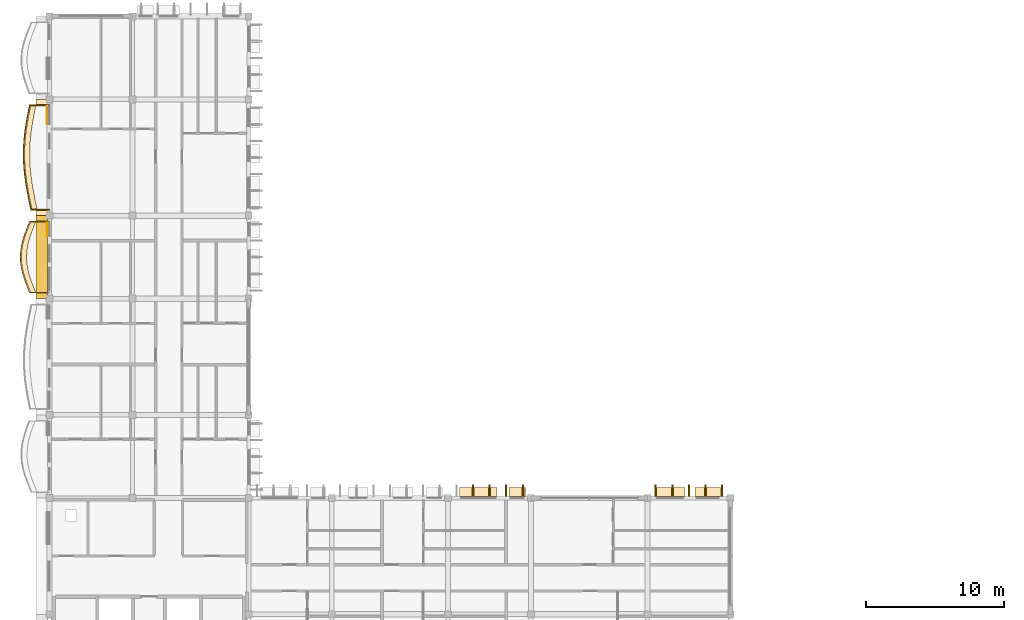
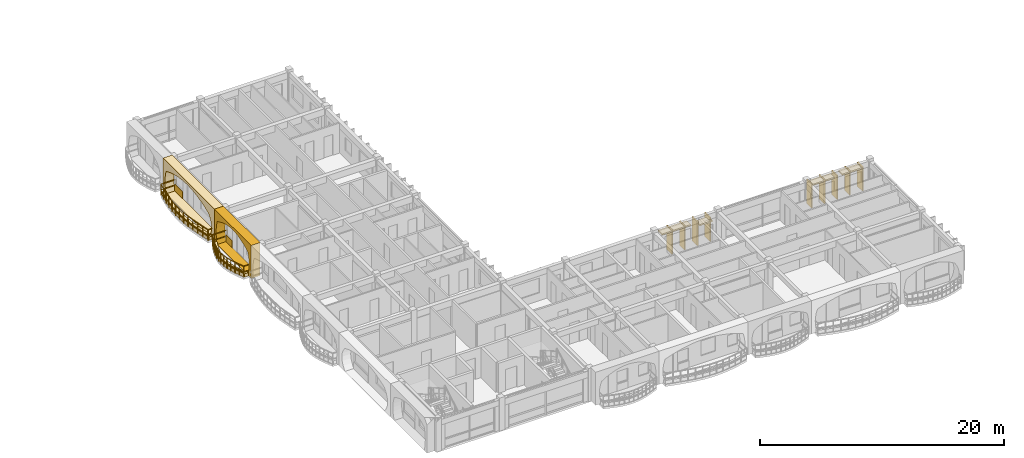
# One storey, part 51 of 68: 19 coverings, 2 railings.
"""IFC4 building model written with IfcOpenShell, lengths in metres."""

from ifc_helpers import new_model, si_unit, direction, frame, origin, origin_2d, place, context, subcontext, project, spatial, polyline, rectangle, outline, extrude, material, layer, layer_set, type_object, element, save


model = new_model("IFC4")

# Units and contexts
model_context = context("Model", 3, precision=1e-05, world=origin(), true_north=direction((0.0, 1.0)))
body_context = subcontext(model_context, "Body", "Model", "MODEL_VIEW")
ifc_project = project(units=[si_unit("LENGTHUNIT", "METRE"), si_unit("AREAUNIT", "SQUARE_METRE"), si_unit("VOLUMEUNIT", "CUBIC_METRE"), si_unit("PLANEANGLEUNIT", "RADIAN"), si_unit("MASSUNIT", "GRAM", prefix="KILO"), si_unit("THERMODYNAMICTEMPERATUREUNIT", "KELVIN")], contexts=[model_context])

# Site, building, storey
site_placement = place(None, origin())
site = spatial("IfcSite", under=ifc_project, at=site_placement, CompositionType="ELEMENT")
building_placement = place(site_placement, origin())
building = spatial("IfcBuilding", under=site, at=building_placement, Name="Thalorik Housing Commons", CompositionType="ELEMENT")
storey_placement = place(building_placement, frame((0.0, 0.0, 24.60009765625)))
storey = spatial("IfcBuildingStorey", under=building, at=storey_placement, Name="L07", CompositionType="ELEMENT", Elevation=24.60009765625)

# Coverings
ifc_material_1 = material(Name="Precast concrete C40/50", Category="concrete")
ifc_layer_1 = layer(ifc_material_1, 0.85009765625, Name="Precast concrete C40/50", Category="concrete")
ifc_layer_set_1 = layer_set([ifc_layer_1], Name="Precast concrete C40/50")
covering_type_1 = type_object("IfcCoveringType", Name="ARC-CLD-CUSH-850", PredefinedType="CLADDING", material=ifc_layer_set_1)
covering_1_placement = place(storey_placement, frame((7.8525390625, 47.39990234375, 0.0), z_axis=(0.0, 0.0, 1.0), x_axis=(0.0, -1.0, 0.0)))
element("IfcCovering", 1, at=covering_1_placement, inside=storey, type_object=covering_type_1, Name="L07 White Precast Curved Cushion Bay Frame 4200", PredefinedType="CLADDING", context=body_context, shape_type="SweptSolid", body=[
    extrude(outline(polyline([(-4.199951171875, 0.0), (4.199951171875, 0.0), (4.199951171875, 3.300048828125), (-4.199951171875, 3.300048828125), (-4.199951171875, 0.0)]), holes=[polyline([(3.239990234375, 0.02490234375), (3.523193359375, 0.40087890625), (3.693359375, 0.776611328125), (3.75, 1.152587890625), (3.693359375, 1.5283203125), (3.523193359375, 1.904296875), (3.239990234375, 2.280029296875), (2.66064453125, 2.51123046875), (2.081298828125, 2.693115234375), (1.501953125, 2.840087890625), (0.922607421875, 2.94970703125), (0.343017578125, 3.01708984375), (-0.236328125, 3.0400390625), (-0.815673828125, 3.01708984375), (-1.39501953125, 2.94970703125), (-1.974365234375, 2.840087890625), (-2.5537109375, 2.693115234375), (-3.133056640625, 2.51123046875), (-3.71240234375, 2.280029296875), (-3.8154296875, 1.904296875), (-3.877197265625, 1.5283203125), (-3.897705078125, 1.152587890625), (-3.877197265625, 0.776611328125), (-3.8154296875, 0.40087890625), (-3.71240234375, 0.02490234375), (3.239990234375, 0.02490234375)])]), frame((0.0, 0.425048828125, 0.0), z_axis=(0.0, -1.0, 0.0), x_axis=(1.0, 0.0, 0.0)), (0.0, 0.0, 1.0), 0.85009765625),
])
covering_2_placement = place(storey_placement, frame((7.8525390625, 40.199951171875, 0.0), z_axis=(0.0, 0.0, 1.0), x_axis=(0.0, -1.0, 0.0)))
element("IfcCovering", 2, at=covering_2_placement, inside=storey, type_object=covering_type_1, Name="L07 White Precast Curved Cushion Bay Frame 4202", PredefinedType="CLADDING", context=body_context, shape_type="SweptSolid", body=[
    extrude(outline(polyline([(-3.0, 0.0), (3.0, 0.0), (3.0, 3.300048828125), (-3.0, 3.300048828125), (-3.0, 0.0)]), holes=[polyline([(2.47509765625, 0.02490234375), (2.585693359375, 0.407470703125), (2.65234375, 0.7900390625), (2.674560546875, 1.172607421875), (2.65234375, 1.554931640625), (2.585693359375, 1.9375), (2.47509765625, 2.320068359375), (2.05615234375, 2.539306640625), (1.637451171875, 2.711181640625), (1.21875, 2.8505859375), (0.800048828125, 2.954345703125), (0.381103515625, 3.018310546875), (-0.03759765625, 3.0400390625), (-0.456298828125, 3.018310546875), (-0.875, 2.954345703125), (-1.293701171875, 2.8505859375), (-1.71240234375, 2.711181640625), (-2.131103515625, 2.539306640625), (-2.550048828125, 2.320068359375), (-2.64501953125, 1.9375), (-2.701904296875, 1.554931640625), (-2.720947265625, 1.172607421875), (-2.701904296875, 0.7900390625), (-2.64501953125, 0.407470703125), (-2.550048828125, 0.02490234375), (2.47509765625, 0.02490234375)])]), frame((0.0, 0.425048828125, 0.0), z_axis=(0.0, -1.0, 0.0), x_axis=(1.0, 0.0, 0.0)), (0.0, 0.0, 1.0), 0.85009765625),
])
ifc_layer_2 = layer(ifc_material_1, 0.85009765625, Name="Precast concrete C40/50", Category="concrete")
ifc_layer_set_2 = layer_set([ifc_layer_2], Name="Precast concrete C40/50")
covering_type_2 = type_object("IfcCoveringType", Name="ARC-CLD-FIN-850", PredefinedType="CLADDING", material=ifc_layer_set_2)
for number, where, z_axis, x_axis, name in (
    (3, (57.0, 23.347412109375, 0.039794921875), (0.0, 0.0, 1.0), (-1.0, 0.0, 0.0), "L07 Courtyard Precast Vertical Brise-Soleil Fin 4229"),
    (4, (55.800048828125, 23.347412109375, 0.039794921875), (0.0, 0.0, 1.0), (-1.0, 0.0, 0.0), "L07 Courtyard Precast Vertical Brise-Soleil Fin 4230"),
    (5, (54.60009765625, 23.347412109375, 0.039794921875), (0.0, 0.0, 1.0), (-1.0, 0.0, 0.0), "L07 Courtyard Precast Vertical Brise-Soleil Fin 4231"),
    (6, (53.39990234375, 23.347412109375, 0.039794921875), (0.0, 0.0, 1.0), (-1.0, 0.0, 0.0), "L07 Courtyard Precast Vertical Brise-Soleil Fin 4232"),
    (7, (52.199951171875, 23.347412109375, 0.039794921875), (0.0, 0.0, 1.0), (-1.0, 0.0, 0.0), "L07 Courtyard Precast Vertical Brise-Soleil Fin 4233"),
    (8, (42.60009765625, 23.347412109375, 0.039794921875), (0.0, 0.0, 1.0), (-1.0, 0.0, 0.0), "L07 Courtyard Precast Vertical Brise-Soleil Fin 4236"),
    (9, (41.39990234375, 23.347412109375, 0.039794921875), (0.0, 0.0, 1.0), (-1.0, 0.0, 0.0), "L07 Courtyard Precast Vertical Brise-Soleil Fin 4237"),
    (10, (40.199951171875, 23.347412109375, 0.039794921875), (0.0, 0.0, 1.0), (-1.0, 0.0, 0.0), "L07 Courtyard Precast Vertical Brise-Soleil Fin 4238"),
    (11, (39.0, 23.347412109375, 0.039794921875), (0.0, 0.0, 1.0), (-1.0, 0.0, 0.0), "L07 Courtyard Precast Vertical Brise-Soleil Fin 4239"),
):
    element("IfcCovering", number, at=place(storey_placement, frame(where, z_axis=z_axis, x_axis=x_axis)), inside=storey, type_object=covering_type_2, Name=name, PredefinedType="CLADDING", context=body_context, shape_type="SweptSolid", body=[
        extrude(rectangle(XDim=0.110107421875, YDim=0.85009765625, at=origin_2d()), origin(), (0.0, 0.0, 1.0), 2.39501953125),
    ])
ifc_layer_3 = layer(ifc_material_1, 0.64990234375, Name="Precast concrete C40/50", Category="concrete")
ifc_layer_set_3 = layer_set([ifc_layer_3], Name="Precast concrete C40/50")
covering_type_3 = type_object("IfcCoveringType", Name="ARC-CLD-HOOD-650", PredefinedType="CLADDING", material=ifc_layer_set_3)
covering_3_placement = place(storey_placement, frame((55.969970703125, 23.24755859375, 2.27001953125), z_axis=(0.0, 0.0, 1.0), x_axis=(-1.0, 0.0, 0.0)))
element("IfcCovering", 12, at=covering_3_placement, inside=storey, type_object=covering_type_3, Name="L07 Courtyard Precast Window Sun-Hood 4234", PredefinedType="CLADDING", context=body_context, shape_type="SweptSolid", body=[
    extrude(rectangle(XDim=1.820068359375, YDim=0.64990234375, at=origin_2d()), origin(), (0.0, 0.0, 1.0), 0.139892578125),
])
covering_4_placement = place(storey_placement, frame((53.22998046875, 23.24755859375, 2.22998046875), z_axis=(0.0, 0.0, 1.0), x_axis=(-1.0, 0.0, 0.0)))
element("IfcCovering", 13, at=covering_4_placement, inside=storey, type_object=covering_type_3, Name="L07 Courtyard Precast Window Sun-Hood 4235", PredefinedType="CLADDING", context=body_context, shape_type="SweptSolid", body=[
    extrude(rectangle(XDim=2.159912109375, YDim=0.64990234375, at=origin_2d()), origin(), (0.0, 0.0, 1.0), 0.139892578125),
])
covering_5_placement = place(storey_placement, frame((42.199951171875, 23.24755859375, 1.93994140625), z_axis=(0.0, 0.0, 1.0), x_axis=(-1.0, 0.0, 0.0)))
element("IfcCovering", 14, at=covering_5_placement, inside=storey, type_object=covering_type_3, Name="L07 Courtyard Precast Window Sun-Hood 4241", PredefinedType="CLADDING", context=body_context, shape_type="SweptSolid", body=[
    extrude(rectangle(XDim=1.18994140625, YDim=0.64990234375, at=origin_2d()), origin(), (0.0, 0.0, 1.0), 0.139892578125),
])
covering_6_placement = place(storey_placement, frame((39.389892578125, 23.24755859375, 2.25), z_axis=(0.0, 0.0, 1.0), x_axis=(-1.0, 0.0, 0.0)))
element("IfcCovering", 15, at=covering_6_placement, inside=storey, type_object=covering_type_3, Name="L07 Courtyard Precast Window Sun-Hood 4242", PredefinedType="CLADDING", context=body_context, shape_type="SweptSolid", body=[
    extrude(rectangle(XDim=2.719970703125, YDim=0.64990234375, at=origin_2d()), origin(), (0.0, 0.0, 1.0), 0.139892578125),
])
ifc_material_2 = material(Name="Terracotta red mineral fibre-cement panel", Category="masonry")
ifc_layer_4 = layer(ifc_material_2, 0.054931640625, Name="Terracotta red mineral fibre-cement panel", Category="masonry")
ifc_layer_set_4 = layer_set([ifc_layer_4], Name="Terracotta red mineral fibre-cement panel")
covering_type_4 = type_object("IfcCoveringType", Name="ARC-CLD-RED-55", PredefinedType="CLADDING", material=ifc_layer_set_4)
covering_7_placement = place(storey_placement, frame((8.2451171875, 42.199951171875, 0.0498046875), z_axis=(0.0, 0.0, 1.0), x_axis=(0.0, -1.0, 0.0)))
element("IfcCovering", 16, at=covering_7_placement, inside=storey, type_object=covering_type_4, Name="L07 De Stijl Recessed Window Spandrel 4203", PredefinedType="CLADDING", context=body_context, shape_type="SweptSolid", body=[
    extrude(rectangle(XDim=1.0, YDim=0.054931640625, at=origin_2d()), origin(), (0.0, 0.0, 1.0), 0.699951171875),
])
ifc_material_3 = material(Name="Mineral ochre architectural terracotta panel", Category="masonry")
ifc_layer_5 = layer(ifc_material_3, 0.06494140625, Name="Mineral ochre architectural terracotta panel", Category="masonry")
ifc_layer_set_5 = layer_set([ifc_layer_5], Name="Mineral ochre architectural terracotta panel")
covering_type_5 = type_object("IfcCoveringType", Name="ARC-CLD-YEL-65", PredefinedType="CLADDING", material=ifc_layer_set_5)
covering_8_placement = place(storey_placement, frame((8.239990234375, 50.4375, 0.0498046875), z_axis=(0.0, 0.0, 1.0), x_axis=(0.0, -1.0, 0.0)))
element("IfcCovering", 17, at=covering_8_placement, inside=storey, type_object=covering_type_5, Name="L07 De Stijl Recessed Window Spandrel 4201", PredefinedType="CLADDING", context=body_context, shape_type="SweptSolid", body=[
    extrude(rectangle(XDim=1.25, YDim=0.06494140625, at=origin_2d()), origin(), (0.0, 0.0, 1.0), 0.699951171875),
])
ifc_material_4 = material(Name="Planted vegetated substrate and terracotta trough", Category="masonry")
ifc_layer_6 = layer(ifc_material_4, 0.340087890625, Name="Planted vegetated substrate and terracotta trough", Category="masonry")
ifc_layer_set_6 = layer_set([ifc_layer_6], Name="Planted vegetated substrate and terracotta trough")
covering_type_6 = type_object("IfcCoveringType", Name="ARC-COV-PLANTER", PredefinedType="USERDEFINED", material=ifc_layer_set_6)
covering_9_placement = place(storey_placement, origin())
element("IfcCovering", 18, at=covering_9_placement, inside=storey, type_object=covering_type_6, Name="L07 Balcony Slab-Edge Planted Trough 5619", ObjectType="PLANTER", PredefinedType="USERDEFINED", context=body_context, shape_type="SweptSolid", body=[
    extrude(outline(polyline([(7.0498046875, 42.780029296875), (6.872314453125, 42.35009765625), (6.7080078125, 41.919921875), (6.567626953125, 41.489990234375), (6.460205078125, 41.06005859375), (6.392822265625, 40.6298828125), (6.3701171875, 40.199951171875), (6.392822265625, 39.77001953125), (6.460205078125, 39.340087890625), (6.567626953125, 38.909912109375), (6.7080078125, 38.47998046875), (6.872314453125, 38.050048828125), (7.0498046875, 37.6201171875), (7.4296875, 37.6201171875), (7.252197265625, 38.050048828125), (7.087890625, 38.47998046875), (6.947509765625, 38.909912109375), (6.84033203125, 39.340087890625), (6.77294921875, 39.77001953125), (6.75, 40.199951171875), (6.77294921875, 40.6298828125), (6.84033203125, 41.06005859375), (6.947509765625, 41.489990234375), (7.087890625, 41.919921875), (7.252197265625, 42.35009765625), (7.4296875, 42.780029296875), (7.0498046875, 42.780029296875)])), origin(), (0.0, 0.0, 1.0), 0.33984375),
])
covering_10_placement = place(storey_placement, origin())
element("IfcCovering", 19, at=covering_10_placement, inside=storey, type_object=covering_type_6, Name="L07 Balcony Slab-Edge Planted Trough 5620", ObjectType="PLANTER", PredefinedType="USERDEFINED", context=body_context, shape_type="SweptSolid", body=[
    extrude(outline(polyline([(7.047119140625, 51.179931640625), (6.91943359375, 50.550048828125), (6.80419921875, 49.919921875), (6.70947265625, 49.2900390625), (6.640869140625, 48.659912109375), (6.603271484375, 48.030029296875), (6.598876953125, 47.39990234375), (6.6279296875, 46.77001953125), (6.6884765625, 46.139892578125), (6.7763671875, 45.510009765625), (6.885498046875, 44.8798828125), (7.0087890625, 44.25), (7.1376953125, 43.6201171875), (7.517822265625, 43.6201171875), (7.388671875, 44.25), (7.265380859375, 44.8798828125), (7.15625, 45.510009765625), (7.068603515625, 46.139892578125), (7.008056640625, 46.77001953125), (6.97900390625, 47.39990234375), (6.9833984375, 48.030029296875), (7.02099609375, 48.659912109375), (7.08935546875, 49.2900390625), (7.184326171875, 49.919921875), (7.29931640625, 50.550048828125), (7.427001953125, 51.179931640625), (7.047119140625, 51.179931640625)])), origin(), (0.0, 0.0, 1.0), 0.33984375),
])

# Railings
ifc_material_5 = material(Name="Steel S355", Category="steel")
railing_type_1 = type_object("IfcRailingType", Name="ARC-RL-BAL-112", PredefinedType="BALUSTRADE", material=ifc_material_5)
railing_1_placement = place(storey_placement, frame((8.39990234375, 51.179931640625, 0.0)))
element("IfcRailing", 20, at=railing_1_placement, inside=storey, type_object=railing_type_1, Name="L07 Cushion Balcony Guardrail 304", PredefinedType="BALUSTRADE", context=body_context, shape_type="SweptSolid", body=[
    extrude(rectangle(XDim=0.050048828125, YDim=0.050048828125, at=origin_2d()), frame((0.0, 0.0, 1.09521484375), z_axis=(-1.0, 0.0, 0.0), x_axis=(0.0, -1.0, 0.0)), (0.0, 0.0, 1.0), 1.4228515625),
    extrude(rectangle(XDim=0.050048828125, YDim=0.050048828125, at=origin_2d()), frame((0.0, 0.0, 0.53515625), z_axis=(-1.0, 0.0, 0.0), x_axis=(0.0, -1.0, 0.0)), (0.0, 0.0, 1.0), 1.4228515625),
    extrude(rectangle(XDim=0.050048828125, YDim=0.050048828125, at=origin_2d()), frame((-1.4228515625, 0.0, 1.09521484375), z_axis=(-0.19867228936, -0.980065978106, 0.0), x_axis=(0.980065978106, -0.19867228936, 0.0)), (0.0, 0.0, 1.0), 0.642578125),
    extrude(rectangle(XDim=0.050048828125, YDim=0.050048828125, at=origin_2d()), frame((-1.4228515625, 0.0, 0.53515625), z_axis=(-0.19867228936, -0.980065978106, 0.0), x_axis=(0.980065978106, -0.19867228936, 0.0)), (0.0, 0.0, 1.0), 0.642578125),
    extrude(rectangle(XDim=0.050048828125, YDim=0.050048828125, at=origin_2d()), frame((-1.550537109375, -0.6298828125, 1.09521484375), z_axis=(-0.179522687155, -0.983753833434, 0.0), x_axis=(0.983753833434, -0.179522687155, 0.0)), (0.0, 0.0, 1.0), 0.640625),
    extrude(rectangle(XDim=0.050048828125, YDim=0.050048828125, at=origin_2d()), frame((-1.550537109375, -0.6298828125, 0.53515625), z_axis=(-0.179522687155, -0.983753833434, 0.0), x_axis=(0.983753833434, -0.179522687155, 0.0)), (0.0, 0.0, 1.0), 0.640625),
    extrude(rectangle(XDim=0.050048828125, YDim=0.050048828125, at=origin_2d()), frame((-1.66552734375, -1.260009765625, 1.09521484375), z_axis=(-0.14909007284, -0.988823619348, 0.0), x_axis=(0.988823619348, -0.14909007284, 0.0)), (0.0, 0.0, 1.0), 0.636962890625),
    extrude(rectangle(XDim=0.050048828125, YDim=0.050048828125, at=origin_2d()), frame((-1.66552734375, -1.260009765625, 0.53515625), z_axis=(-0.14909007284, -0.988823619348, 0.0), x_axis=(0.988823619348, -0.14909007284, 0.0)), (0.0, 0.0, 1.0), 0.636962890625),
    extrude(rectangle(XDim=0.050048828125, YDim=0.050048828125, at=origin_2d()), frame((-1.760498046875, -1.889892578125, 1.09521484375), z_axis=(-0.10823296468, -0.994125558145, 0.0), x_axis=(0.994125558145, -0.10823296468, 0.0)), (0.0, 0.0, 1.0), 0.6337890625),
    extrude(rectangle(XDim=0.050048828125, YDim=0.050048828125, at=origin_2d()), frame((-1.760498046875, -1.889892578125, 0.53515625), z_axis=(-0.10823296468, -0.994125558145, 0.0), x_axis=(0.994125558145, -0.10823296468, 0.0)), (0.0, 0.0, 1.0), 0.6337890625),
    extrude(rectangle(XDim=0.050048828125, YDim=0.050048828125, at=origin_2d()), frame((-1.8291015625, -2.52001953125, 1.09521484375), z_axis=(-0.059583871562, -0.998223302798, 0.0), x_axis=(0.998223302798, -0.059583871562, 0.0)), (0.0, 0.0, 1.0), 0.631103515625),
    extrude(rectangle(XDim=0.050048828125, YDim=0.050048828125, at=origin_2d()), frame((-1.8291015625, -2.52001953125, 0.53515625), z_axis=(-0.059583871562, -0.998223302798, 0.0), x_axis=(0.998223302798, -0.059583871562, 0.0)), (0.0, 0.0, 1.0), 0.631103515625),
    extrude(rectangle(XDim=0.050048828125, YDim=0.050048828125, at=origin_2d()), frame((-1.86669921875, -3.14990234375, 1.09521484375), z_axis=(-0.006973871476, -0.999975682263, 0.0), x_axis=(0.999975682263, -0.006973871476, 0.0)), (0.0, 0.0, 1.0), 0.630126953125),
    extrude(rectangle(XDim=0.050048828125, YDim=0.050048828125, at=origin_2d()), frame((-1.86669921875, -3.14990234375, 0.53515625), z_axis=(-0.006973871476, -0.999975682263, 0.0), x_axis=(0.999975682263, -0.006973871476, 0.0)), (0.0, 0.0, 1.0), 0.630126953125),
    extrude(rectangle(XDim=0.050048828125, YDim=0.050048828125, at=origin_2d()), frame((-1.87109375, -3.780029296875, 1.09521484375), z_axis=(0.046461399352, -0.998920086078, 0.0), x_axis=(0.998920086078, 0.046461399352, 0.0)), (0.0, 0.0, 1.0), 0.630615234375),
    extrude(rectangle(XDim=0.050048828125, YDim=0.050048828125, at=origin_2d()), frame((-1.87109375, -3.780029296875, 0.53515625), z_axis=(0.046461399352, -0.998920086078, 0.0), x_axis=(0.998920086078, 0.046461399352, 0.0)), (0.0, 0.0, 1.0), 0.630615234375),
    extrude(rectangle(XDim=0.050048828125, YDim=0.050048828125, at=origin_2d()), frame((-1.841796875, -4.409912109375, 1.09521484375), z_axis=(0.095264103918, -0.995452033252, 0.0), x_axis=(0.995452033252, 0.095264103918, 0.0)), (0.0, 0.0, 1.0), 0.633056640625),
    extrude(rectangle(XDim=0.050048828125, YDim=0.050048828125, at=origin_2d()), frame((-1.841796875, -4.409912109375, 0.53515625), z_axis=(0.095264103918, -0.995452033252, 0.0), x_axis=(0.995452033252, 0.095264103918, 0.0)), (0.0, 0.0, 1.0), 0.633056640625),
    extrude(rectangle(XDim=0.050048828125, YDim=0.050048828125, at=origin_2d()), frame((-1.781494140625, -5.0400390625, 1.09521484375), z_axis=(0.138196031911, -0.990404895365, 0.0), x_axis=(0.990404895365, 0.138196031911, 0.0)), (0.0, 0.0, 1.0), 0.635986328125),
    extrude(rectangle(XDim=0.050048828125, YDim=0.050048828125, at=origin_2d()), frame((-1.781494140625, -5.0400390625, 0.53515625), z_axis=(0.138196031911, -0.990404895365, 0.0), x_axis=(0.990404895365, 0.138196031911, 0.0)), (0.0, 0.0, 1.0), 0.635986328125),
    extrude(rectangle(XDim=0.050048828125, YDim=0.050048828125, at=origin_2d()), frame((-1.693603515625, -5.669921875, 1.09521484375), z_axis=(0.170648353941, -0.985331994455, 0.0), x_axis=(0.985331994455, 0.170648353941, 0.0)), (0.0, 0.0, 1.0), 0.639404296875),
    extrude(rectangle(XDim=0.050048828125, YDim=0.050048828125, at=origin_2d()), frame((-1.693603515625, -5.669921875, 0.53515625), z_axis=(0.170648353941, -0.985331994455, 0.0), x_axis=(0.985331994455, 0.170648353941, 0.0)), (0.0, 0.0, 1.0), 0.639404296875),
    extrude(rectangle(XDim=0.050048828125, YDim=0.050048828125, at=origin_2d()), frame((-1.58447265625, -6.300048828125, 1.09521484375), z_axis=(0.192091248087, -0.981377069433, 0.0), x_axis=(0.981377069433, 0.192091248087, 0.0)), (0.0, 0.0, 1.0), 0.641845703125),
    extrude(rectangle(XDim=0.050048828125, YDim=0.050048828125, at=origin_2d()), frame((-1.58447265625, -6.300048828125, 0.53515625), z_axis=(0.192091248087, -0.981377069433, 0.0), x_axis=(0.981377069433, 0.192091248087, 0.0)), (0.0, 0.0, 1.0), 0.641845703125),
    extrude(rectangle(XDim=0.050048828125, YDim=0.050048828125, at=origin_2d()), frame((-1.461181640625, -6.929931640625, 1.09521484375), z_axis=(0.200860058517, -0.979619945128, 0.0), x_axis=(0.979619945128, 0.200860058517, 0.0)), (0.0, 0.0, 1.0), 0.64306640625),
    extrude(rectangle(XDim=0.050048828125, YDim=0.050048828125, at=origin_2d()), frame((-1.461181640625, -6.929931640625, 0.53515625), z_axis=(0.200860058517, -0.979619945128, 0.0), x_axis=(0.979619945128, 0.200860058517, 0.0)), (0.0, 0.0, 1.0), 0.64306640625),
    extrude(rectangle(XDim=0.050048828125, YDim=0.050048828125, at=origin_2d()), frame((-1.33203125, -7.559814453125, 1.09521484375), z_axis=(1.0, 0.0, 0.0), x_axis=(0.0, 1.0, 0.0)), (0.0, 0.0, 1.0), 1.33203125),
    extrude(rectangle(XDim=0.050048828125, YDim=0.050048828125, at=origin_2d()), frame((-1.33203125, -7.559814453125, 0.53515625), z_axis=(1.0, 0.0, 0.0), x_axis=(0.0, 1.0, 0.0)), (0.0, 0.0, 1.0), 1.33203125),
    extrude(rectangle(XDim=0.0419921875, YDim=0.0419921875, at=origin_2d()), origin(), (0.0, 0.0, 1.0), 1.070068359375),
    extrude(rectangle(XDim=0.0419921875, YDim=0.0419921875, at=origin_2d()), frame((-1.4228515625, 0.0, 0.0)), (0.0, 0.0, 1.0), 1.070068359375),
    extrude(rectangle(XDim=0.0419921875, YDim=0.0419921875, at=origin_2d()), frame((-1.550537109375, -0.6298828125, 0.0)), (0.0, 0.0, 1.0), 1.070068359375),
    extrude(rectangle(XDim=0.0419921875, YDim=0.0419921875, at=origin_2d()), frame((-1.66552734375, -1.260009765625, 0.0)), (0.0, 0.0, 1.0), 1.070068359375),
    extrude(rectangle(XDim=0.0419921875, YDim=0.0419921875, at=origin_2d()), frame((-1.760498046875, -1.889892578125, 0.0)), (0.0, 0.0, 1.0), 1.070068359375),
    extrude(rectangle(XDim=0.0419921875, YDim=0.0419921875, at=origin_2d()), frame((-1.8291015625, -2.52001953125, 0.0)), (0.0, 0.0, 1.0), 1.070068359375),
    extrude(rectangle(XDim=0.0419921875, YDim=0.0419921875, at=origin_2d()), frame((-1.86669921875, -3.14990234375, 0.0)), (0.0, 0.0, 1.0), 1.070068359375),
    extrude(rectangle(XDim=0.0419921875, YDim=0.0419921875, at=origin_2d()), frame((-1.87109375, -3.780029296875, 0.0)), (0.0, 0.0, 1.0), 1.070068359375),
    extrude(rectangle(XDim=0.0419921875, YDim=0.0419921875, at=origin_2d()), frame((-1.841796875, -4.409912109375, 0.0)), (0.0, 0.0, 1.0), 1.070068359375),
    extrude(rectangle(XDim=0.0419921875, YDim=0.0419921875, at=origin_2d()), frame((-1.781494140625, -5.0400390625, 0.0)), (0.0, 0.0, 1.0), 1.070068359375),
    extrude(rectangle(XDim=0.0419921875, YDim=0.0419921875, at=origin_2d()), frame((-1.693603515625, -5.669921875, 0.0)), (0.0, 0.0, 1.0), 1.070068359375),
    extrude(rectangle(XDim=0.0419921875, YDim=0.0419921875, at=origin_2d()), frame((-1.58447265625, -6.300048828125, 0.0)), (0.0, 0.0, 1.0), 1.070068359375),
    extrude(rectangle(XDim=0.0419921875, YDim=0.0419921875, at=origin_2d()), frame((-1.461181640625, -6.929931640625, 0.0)), (0.0, 0.0, 1.0), 1.070068359375),
    extrude(rectangle(XDim=0.0419921875, YDim=0.0419921875, at=origin_2d()), frame((-1.33203125, -7.559814453125, 0.0)), (0.0, 0.0, 1.0), 1.070068359375),
    extrude(rectangle(XDim=0.0419921875, YDim=0.0419921875, at=origin_2d()), frame((0.0, -7.559814453125, 0.0)), (0.0, 0.0, 1.0), 1.070068359375),
])
railing_type_2 = type_object("IfcRailingType", Name="ARC-RL-BAL-115", PredefinedType="BALUSTRADE", material=ifc_material_5)
railing_2_placement = place(storey_placement, frame((8.39990234375, 42.780029296875, 0.0)))
element("IfcRailing", 21, at=railing_2_placement, inside=storey, type_object=railing_type_2, Name="L07 Cushion Balcony Guardrail 303", PredefinedType="BALUSTRADE", context=body_context, shape_type="SweptSolid", body=[
    extrude(rectangle(XDim=0.050048828125, YDim=0.050048828125, at=origin_2d()), frame((0.0, 0.0, 1.125), z_axis=(-1.0, 0.0, 0.0), x_axis=(0.0, -1.0, 0.0)), (0.0, 0.0, 1.0), 1.420166015625),
    extrude(rectangle(XDim=0.050048828125, YDim=0.050048828125, at=origin_2d()), frame((0.0, 0.0, 0.5498046875), z_axis=(-1.0, 0.0, 0.0), x_axis=(0.0, -1.0, 0.0)), (0.0, 0.0, 1.0), 1.420166015625),
    extrude(rectangle(XDim=0.050048828125, YDim=0.050048828125, at=origin_2d()), frame((-1.420166015625, 0.0, 1.125), z_axis=(-0.381594438416, -0.924329857015, 0.0), x_axis=(0.924329857015, -0.381594438416, 0.0)), (0.0, 0.0, 1.0), 0.465087890625),
    extrude(rectangle(XDim=0.050048828125, YDim=0.050048828125, at=origin_2d()), frame((-1.420166015625, 0.0, 0.5498046875), z_axis=(-0.381594438416, -0.924329857015, 0.0), x_axis=(0.924329857015, -0.381594438416, 0.0)), (0.0, 0.0, 1.0), 0.465087890625),
    extrude(rectangle(XDim=0.050048828125, YDim=0.050048828125, at=origin_2d()), frame((-1.59765625, -0.429931640625, 1.125), z_axis=(-0.356810933782, -0.934176620096, 0.0), x_axis=(0.934176620096, -0.356810933782, 0.0)), (0.0, 0.0, 1.0), 0.46044921875),
    extrude(rectangle(XDim=0.050048828125, YDim=0.050048828125, at=origin_2d()), frame((-1.59765625, -0.429931640625, 0.5498046875), z_axis=(-0.356810933782, -0.934176620096, 0.0), x_axis=(0.934176620096, -0.356810933782, 0.0)), (0.0, 0.0, 1.0), 0.46044921875),
    extrude(rectangle(XDim=0.050048828125, YDim=0.050048828125, at=origin_2d()), frame((-1.761962890625, -0.860107421875, 1.125), z_axis=(-0.310391826564, -0.950608707094, 0.0), x_axis=(0.950608707094, -0.310391826564, 0.0)), (0.0, 0.0, 1.0), 0.4521484375),
    extrude(rectangle(XDim=0.050048828125, YDim=0.050048828125, at=origin_2d()), frame((-1.761962890625, -0.860107421875, 0.5498046875), z_axis=(-0.310391826564, -0.950608707094, 0.0), x_axis=(0.950608707094, -0.310391826564, 0.0)), (0.0, 0.0, 1.0), 0.4521484375),
    extrude(rectangle(XDim=0.050048828125, YDim=0.050048828125, at=origin_2d()), frame((-1.90234375, -1.2900390625, 1.125), z_axis=(-0.241887340049, -0.970304341289, 0.0), x_axis=(0.970304341289, -0.241887340049, 0.0)), (0.0, 0.0, 1.0), 0.443115234375),
    extrude(rectangle(XDim=0.050048828125, YDim=0.050048828125, at=origin_2d()), frame((-1.90234375, -1.2900390625, 0.5498046875), z_axis=(-0.241887340049, -0.970304341289, 0.0), x_axis=(0.970304341289, -0.241887340049, 0.0)), (0.0, 0.0, 1.0), 0.443115234375),
    extrude(rectangle(XDim=0.050048828125, YDim=0.050048828125, at=origin_2d()), frame((-2.009521484375, -1.719970703125, 1.125), z_axis=(-0.154753163364, -0.987953166111, 0.0), x_axis=(0.987953166111, -0.154753163364, 0.0)), (0.0, 0.0, 1.0), 0.435302734375),
    extrude(rectangle(XDim=0.050048828125, YDim=0.050048828125, at=origin_2d()), frame((-2.009521484375, -1.719970703125, 0.5498046875), z_axis=(-0.154753163364, -0.987953166111, 0.0), x_axis=(0.987953166111, -0.154753163364, 0.0)), (0.0, 0.0, 1.0), 0.435302734375),
    extrude(rectangle(XDim=0.050048828125, YDim=0.050048828125, at=origin_2d()), frame((-2.076904296875, -2.150146484375, 1.125), z_axis=(-0.053302878343, -0.998578391094, 0.0), x_axis=(0.998578391094, -0.053302878343, 0.0)), (0.0, 0.0, 1.0), 0.4306640625),
    extrude(rectangle(XDim=0.050048828125, YDim=0.050048828125, at=origin_2d()), frame((-2.076904296875, -2.150146484375, 0.5498046875), z_axis=(-0.053302878343, -0.998578391094, 0.0), x_axis=(0.998578391094, -0.053302878343, 0.0)), (0.0, 0.0, 1.0), 0.4306640625),
    extrude(rectangle(XDim=0.050048828125, YDim=0.050048828125, at=origin_2d()), frame((-2.099853515625, -2.580078125, 1.125), z_axis=(0.053302878343, -0.998578391094, 0.0), x_axis=(0.998578391094, 0.053302878343, 0.0)), (0.0, 0.0, 1.0), 0.4306640625),
    extrude(rectangle(XDim=0.050048828125, YDim=0.050048828125, at=origin_2d()), frame((-2.099853515625, -2.580078125, 0.5498046875), z_axis=(0.053302878343, -0.998578391094, 0.0), x_axis=(0.998578391094, 0.053302878343, 0.0)), (0.0, 0.0, 1.0), 0.4306640625),
    extrude(rectangle(XDim=0.050048828125, YDim=0.050048828125, at=origin_2d()), frame((-2.076904296875, -3.010009765625, 1.125), z_axis=(0.154838935067, -0.987939727001, 0.0), x_axis=(0.987939727001, 0.154838935067, 0.0)), (0.0, 0.0, 1.0), 0.43505859375),
    extrude(rectangle(XDim=0.050048828125, YDim=0.050048828125, at=origin_2d()), frame((-2.076904296875, -3.010009765625, 0.5498046875), z_axis=(0.154838935067, -0.987939727001, 0.0), x_axis=(0.987939727001, 0.154838935067, 0.0)), (0.0, 0.0, 1.0), 0.43505859375),
    extrude(rectangle(XDim=0.050048828125, YDim=0.050048828125, at=origin_2d()), frame((-2.009521484375, -3.43994140625, 1.125), z_axis=(0.241758085805, -0.970336553959, 0.0), x_axis=(0.970336553959, 0.241758085805, 0.0)), (0.0, 0.0, 1.0), 0.443359375),
    extrude(rectangle(XDim=0.050048828125, YDim=0.050048828125, at=origin_2d()), frame((-2.009521484375, -3.43994140625, 0.5498046875), z_axis=(0.241758085805, -0.970336553959, 0.0), x_axis=(0.970336553959, 0.241758085805, 0.0)), (0.0, 0.0, 1.0), 0.443359375),
    extrude(rectangle(XDim=0.050048828125, YDim=0.050048828125, at=origin_2d()), frame((-1.90234375, -3.8701171875, 1.125), z_axis=(0.310391826564, -0.950608707094, 0.0), x_axis=(0.950608707094, 0.310391826564, 0.0)), (0.0, 0.0, 1.0), 0.4521484375),
    extrude(rectangle(XDim=0.050048828125, YDim=0.050048828125, at=origin_2d()), frame((-1.90234375, -3.8701171875, 0.5498046875), z_axis=(0.310391826564, -0.950608707094, 0.0), x_axis=(0.950608707094, 0.310391826564, 0.0)), (0.0, 0.0, 1.0), 0.4521484375),
    extrude(rectangle(XDim=0.050048828125, YDim=0.050048828125, at=origin_2d()), frame((-1.761962890625, -4.300048828125, 1.125), z_axis=(0.356987736804, -0.934109070597, 0.0), x_axis=(0.934109070597, 0.356987736804, 0.0)), (0.0, 0.0, 1.0), 0.460205078125),
    extrude(rectangle(XDim=0.050048828125, YDim=0.050048828125, at=origin_2d()), frame((-1.761962890625, -4.300048828125, 0.5498046875), z_axis=(0.356987736804, -0.934109070597, 0.0), x_axis=(0.934109070597, 0.356987736804, 0.0)), (0.0, 0.0, 1.0), 0.460205078125),
    extrude(rectangle(XDim=0.050048828125, YDim=0.050048828125, at=origin_2d()), frame((-1.59765625, -4.72998046875, 1.125), z_axis=(0.381594438416, -0.924329857015, 0.0), x_axis=(0.924329857015, 0.381594438416, 0.0)), (0.0, 0.0, 1.0), 0.465087890625),
    extrude(rectangle(XDim=0.050048828125, YDim=0.050048828125, at=origin_2d()), frame((-1.59765625, -4.72998046875, 0.5498046875), z_axis=(0.381594438416, -0.924329857015, 0.0), x_axis=(0.924329857015, 0.381594438416, 0.0)), (0.0, 0.0, 1.0), 0.465087890625),
    extrude(rectangle(XDim=0.050048828125, YDim=0.050048828125, at=origin_2d()), frame((-1.420166015625, -5.159912109375, 1.125), z_axis=(1.0, 0.0, 0.0), x_axis=(0.0, 1.0, 0.0)), (0.0, 0.0, 1.0), 1.420166015625),
    extrude(rectangle(XDim=0.050048828125, YDim=0.050048828125, at=origin_2d()), frame((-1.420166015625, -5.159912109375, 0.5498046875), z_axis=(1.0, 0.0, 0.0), x_axis=(0.0, 1.0, 0.0)), (0.0, 0.0, 1.0), 1.420166015625),
    extrude(rectangle(XDim=0.0419921875, YDim=0.0419921875, at=origin_2d()), origin(), (0.0, 0.0, 1.0), 1.099853515625),
    extrude(rectangle(XDim=0.0419921875, YDim=0.0419921875, at=origin_2d()), frame((-1.420166015625, 0.0, 0.0)), (0.0, 0.0, 1.0), 1.099853515625),
    extrude(rectangle(XDim=0.0419921875, YDim=0.0419921875, at=origin_2d()), frame((-1.59765625, -0.429931640625, 0.0)), (0.0, 0.0, 1.0), 1.099853515625),
    extrude(rectangle(XDim=0.0419921875, YDim=0.0419921875, at=origin_2d()), frame((-1.761962890625, -0.860107421875, 0.0)), (0.0, 0.0, 1.0), 1.099853515625),
    extrude(rectangle(XDim=0.0419921875, YDim=0.0419921875, at=origin_2d()), frame((-1.90234375, -1.2900390625, 0.0)), (0.0, 0.0, 1.0), 1.099853515625),
    extrude(rectangle(XDim=0.0419921875, YDim=0.0419921875, at=origin_2d()), frame((-2.009521484375, -1.719970703125, 0.0)), (0.0, 0.0, 1.0), 1.099853515625),
    extrude(rectangle(XDim=0.0419921875, YDim=0.0419921875, at=origin_2d()), frame((-2.076904296875, -2.150146484375, 0.0)), (0.0, 0.0, 1.0), 1.099853515625),
    extrude(rectangle(XDim=0.0419921875, YDim=0.0419921875, at=origin_2d()), frame((-2.099853515625, -2.580078125, 0.0)), (0.0, 0.0, 1.0), 1.099853515625),
    extrude(rectangle(XDim=0.0419921875, YDim=0.0419921875, at=origin_2d()), frame((-2.076904296875, -3.010009765625, 0.0)), (0.0, 0.0, 1.0), 1.099853515625),
    extrude(rectangle(XDim=0.0419921875, YDim=0.0419921875, at=origin_2d()), frame((-2.009521484375, -3.43994140625, 0.0)), (0.0, 0.0, 1.0), 1.099853515625),
    extrude(rectangle(XDim=0.0419921875, YDim=0.0419921875, at=origin_2d()), frame((-1.90234375, -3.8701171875, 0.0)), (0.0, 0.0, 1.0), 1.099853515625),
    extrude(rectangle(XDim=0.0419921875, YDim=0.0419921875, at=origin_2d()), frame((-1.761962890625, -4.300048828125, 0.0)), (0.0, 0.0, 1.0), 1.099853515625),
    extrude(rectangle(XDim=0.0419921875, YDim=0.0419921875, at=origin_2d()), frame((-1.59765625, -4.72998046875, 0.0)), (0.0, 0.0, 1.0), 1.099853515625),
    extrude(rectangle(XDim=0.0419921875, YDim=0.0419921875, at=origin_2d()), frame((-1.420166015625, -5.159912109375, 0.0)), (0.0, 0.0, 1.0), 1.099853515625),
    extrude(rectangle(XDim=0.0419921875, YDim=0.0419921875, at=origin_2d()), frame((0.0, -5.159912109375, 0.0)), (0.0, 0.0, 1.0), 1.099853515625),
])

save(model, "model.ifc")
